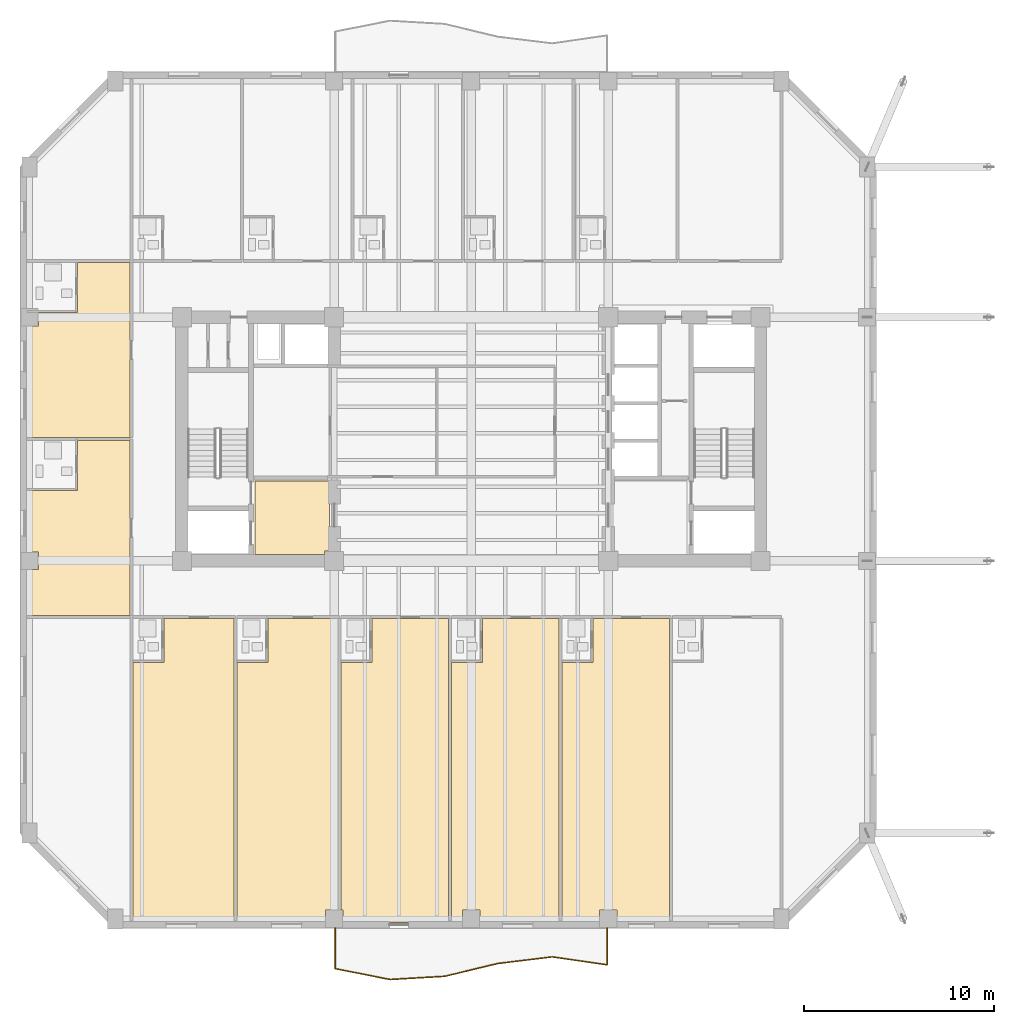
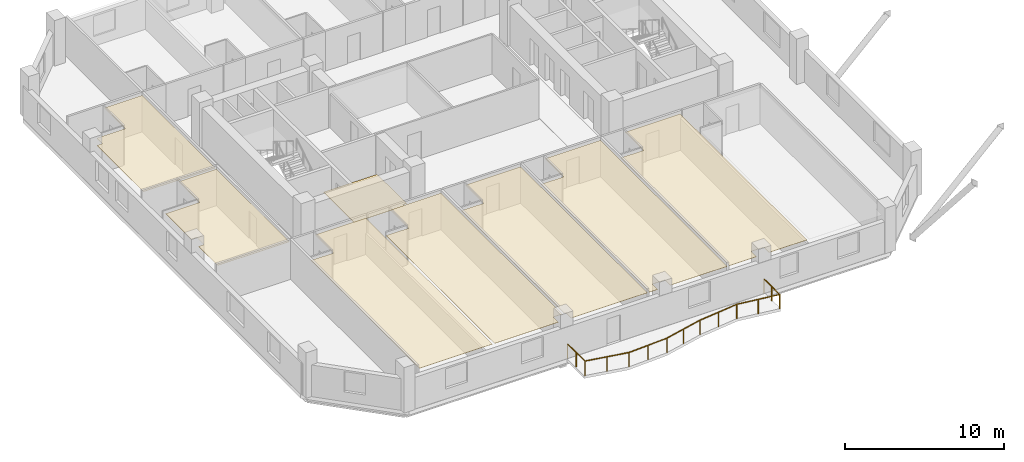
# One storey, part 10 of 14: 8 coverings, 1 railing.
"""IFC4 building model written with IfcOpenShell, lengths in metres."""

from ifc_helpers import new_model, si_unit, direction, frame, origin, origin_2d, place, context, subcontext, project, spatial, polyline, circle, outline, extrude, material, layer, layer_set, type_object, element, save


model = new_model("IFC4")

# Units and contexts
model_context = context("Model", 3, precision=1e-05, world=origin(), true_north=direction((0.0, 1.0)))
body_context = subcontext(model_context, "Body", "Model", "MODEL_VIEW")
ifc_project = project(units=[si_unit("LENGTHUNIT", "METRE"), si_unit("AREAUNIT", "SQUARE_METRE"), si_unit("VOLUMEUNIT", "CUBIC_METRE"), si_unit("PLANEANGLEUNIT", "RADIAN"), si_unit("MASSUNIT", "GRAM", prefix="KILO")], contexts=[model_context])

# Site, building, storey
site_placement = place(None, origin())
site = spatial("IfcSite", under=ifc_project, at=site_placement, CompositionType="ELEMENT")
building_placement = place(site_placement, origin())
building = spatial("IfcBuilding", under=site, at=building_placement, Name="Kranthara Brick Stack", CompositionType="ELEMENT")
storey_placement = place(building_placement, frame((0.0, 0.0, 137.800048828125)))
storey = spatial("IfcBuildingStorey", under=building, at=storey_placement, Name="L34", CompositionType="ELEMENT", Elevation=137.800048828125)

# Coverings
ifc_material_1 = material(Name="Perforated mineral-fibre acoustic ceiling tile", Category="other")
ifc_layer_1 = layer(ifc_material_1, 0.02490234375)
ifc_layer_set_1 = layer_set([ifc_layer_1], Name="Perforated mineral-fibre acoustic ceiling tile")
covering_type_1 = type_object("IfcCoveringType", Name="COV-CEIL-ACOUSTIC", PredefinedType="CEILING", material=ifc_layer_set_1)
covering_1_placement = place(storey_placement, frame((0.0, 0.0, 2.780029296875)))
element("IfcCovering", 1, at=covering_1_placement, inside=storey, type_object=covering_type_1, Name="L34 Room L34-01 Corner Junior Suite Acoustic Ceiling", PredefinedType="CEILING", context=body_context, shape_type="SweptSolid", body=[
    extrude(outline(polyline([(10.22998046875, 1.800048828125), (15.533935546875, 1.800048828125), (15.533935546875, 17.77001953125), (11.860107421875, 17.77001953125), (11.860107421875, 15.4599609375), (10.22998046875, 15.4599609375), (10.22998046875, 1.800048828125)])), origin(), (0.0, 0.0, 1.0), 0.02490234375),
])
covering_2_placement = place(storey_placement, frame((0.0, 0.0, 2.780029296875)))
element("IfcCovering", 2, at=covering_2_placement, inside=storey, type_object=covering_type_1, Name="L34 Room L34-02 Corner Junior Suite Acoustic Ceiling", PredefinedType="CEILING", context=body_context, shape_type="SweptSolid", body=[
    extrude(outline(polyline([(15.694091796875, 1.800048828125), (15.694091796875, 15.4599609375), (17.323974609375, 15.4599609375), (17.323974609375, 17.77001953125), (20.998046875, 17.77001953125), (20.998046875, 2.4599609375), (20.340087890625, 2.4599609375), (20.340087890625, 1.800048828125), (15.694091796875, 1.800048828125)])), origin(), (0.0, 0.0, 1.0), 0.02490234375),
])
covering_3_placement = place(storey_placement, frame((0.0, 0.0, 2.780029296875)))
element("IfcCovering", 3, at=covering_3_placement, inside=storey, type_object=covering_type_1, Name="L34 Room L34-03 Corner Junior Suite Acoustic Ceiling", PredefinedType="CEILING", context=body_context, shape_type="SweptSolid", body=[
    extrude(outline(polyline([(21.157958984375, 15.4599609375), (22.7880859375, 15.4599609375), (22.7880859375, 17.77001953125), (26.802978515625, 17.77001953125), (26.802978515625, 1.800048828125), (21.260009765625, 1.800048828125), (21.260009765625, 2.4599609375), (21.157958984375, 2.4599609375), (21.157958984375, 15.4599609375)])), origin(), (0.0, 0.0, 1.0), 0.02490234375),
])
covering_4_placement = place(storey_placement, frame((0.0, 0.0, 2.780029296875)))
element("IfcCovering", 4, at=covering_4_placement, inside=storey, type_object=covering_type_1, Name="L34 Room L34-04 Corner Junior Suite Acoustic Ceiling", PredefinedType="CEILING", context=body_context, shape_type="SweptSolid", body=[
    extrude(outline(polyline([(26.962890625, 1.800048828125), (26.962890625, 15.4599609375), (28.593017578125, 15.4599609375), (28.593017578125, 17.77001953125), (32.60888671875, 17.77001953125), (32.60888671875, 1.800048828125), (28.4599609375, 1.800048828125), (28.4599609375, 2.4599609375), (27.5400390625, 2.4599609375), (27.5400390625, 1.800048828125), (26.962890625, 1.800048828125)])), origin(), (0.0, 0.0, 1.0), 0.02490234375),
])
covering_5_placement = place(storey_placement, frame((0.0, 0.0, 2.780029296875)))
element("IfcCovering", 5, at=covering_5_placement, inside=storey, type_object=covering_type_1, Name="L34 Room L34-05 Corner Junior Suite Acoustic Ceiling", PredefinedType="CEILING", context=body_context, shape_type="SweptSolid", body=[
    extrude(outline(polyline([(32.76904296875, 1.800048828125), (32.76904296875, 15.4599609375), (34.39892578125, 15.4599609375), (34.39892578125, 17.77001953125), (38.4140625, 17.77001953125), (38.4140625, 1.800048828125), (35.659912109375, 1.800048828125), (35.659912109375, 2.4599609375), (34.739990234375, 2.4599609375), (34.739990234375, 1.800048828125), (32.76904296875, 1.800048828125)])), origin(), (0.0, 0.0, 1.0), 0.02490234375),
])
covering_6_placement = place(storey_placement, frame((0.0, 0.0, 2.780029296875)))
element("IfcCovering", 6, at=covering_6_placement, inside=storey, type_object=covering_type_1, Name="L34 Room L34-13 Hotel Guest Room Acoustic Ceiling", PredefinedType="CEILING", context=body_context, shape_type="SweptSolid", body=[
    extrude(outline(polyline([(4.8701171875, 24.489990234375), (7.330078125, 24.489990234375), (7.330078125, 27.1201171875), (10.080078125, 27.1201171875), (10.080078125, 17.929931640625), (4.8701171875, 17.929931640625), (4.8701171875, 20.340087890625), (5.260009765625, 20.340087890625), (5.260009765625, 21.260009765625), (4.8701171875, 21.260009765625), (4.8701171875, 24.489990234375)])), origin(), (0.0, 0.0, 1.0), 0.02490234375),
])
covering_7_placement = place(storey_placement, frame((0.0, 0.0, 2.780029296875)))
element("IfcCovering", 7, at=covering_7_placement, inside=storey, type_object=covering_type_1, Name="L34 Room L34-14 Hotel Guest Room Acoustic Ceiling", PredefinedType="CEILING", context=body_context, shape_type="SweptSolid", body=[
    extrude(outline(polyline([(7.330078125, 33.840087890625), (7.330078125, 36.469970703125), (10.080078125, 36.469970703125), (10.080078125, 27.280029296875), (4.8701171875, 27.280029296875), (4.8701171875, 33.139892578125), (5.260009765625, 33.139892578125), (5.260009765625, 33.840087890625), (7.330078125, 33.840087890625)])), origin(), (0.0, 0.0, 1.0), 0.02490234375),
])
ifc_material_2 = material(Name="Honed terrazzo and porcelain floor finish", Category="stone")
ifc_layer_2 = layer(ifc_material_2, 0.030029296875)
ifc_layer_set_2 = layer_set([ifc_layer_2], Name="Honed terrazzo and porcelain floor finish")
covering_type_2 = type_object("IfcCoveringType", Name="COV-FLOR-STONE", PredefinedType="FLOORING", material=ifc_layer_set_2)
covering_8_placement = place(storey_placement, origin())
element("IfcCovering", 8, at=covering_8_placement, inside=storey, type_object=covering_type_2, Name="L34 Lift Lobby Stone Flooring", PredefinedType="FLOORING", context=body_context, shape_type="SweptSolid", body=[
    extrude(outline(polyline([(16.64990234375, 21.14990234375), (16.64990234375, 25.0), (20.550048828125, 25.0), (20.550048828125, 21.31005859375), (20.2900390625, 21.31005859375), (20.2900390625, 21.14990234375), (16.64990234375, 21.14990234375)])), origin(), (0.0, 0.0, 1.0), 0.030029296875),
])

# Railing
ifc_material_3 = material(Name="Bronze anodised aluminium and laminated glass balustrade", Category="aluminium")
railing_type = type_object("IfcRailingType", Name="RL-BALC-1120", PredefinedType="BALUSTRADE", material=ifc_material_3)
railing_placement = place(storey_placement, frame((35.139892578125, 1.56005859375, 0.0)))
element("IfcRailing", 9, at=railing_placement, inside=storey, type_object=railing_type, Name="L34 South Rippling Balcony Balustrade", PredefinedType="BALUSTRADE", context=body_context, shape_type="SweptSolid", body=[
    extrude(circle(Radius=0.02392578125, at=origin_2d()), frame((0.0, 0.0, 1.09619140625), z_axis=(0.00012335019, -0.999999992392, 0.0), x_axis=(0.999999992392, 0.00012335019, 0.0)), (0.0, 0.0, 1.0), 1.979248046875),
    extrude(circle(Radius=0.02392578125, at=origin_2d()), frame((0.000244140625, -1.979248046875, 1.09619140625), z_axis=(-0.989669053746, 0.143370722459, 0.0), x_axis=(-0.143370722459, -0.989669053746, 0.0)), (0.0, 0.0, 1.0), 2.91015625),
    extrude(circle(Radius=0.02392578125, at=origin_2d()), frame((-2.8798828125, -1.56201171875, 1.09619140625), z_axis=(-0.992646370975, -0.121050329161, 0.0), x_axis=(0.121050329161, -0.992646370975, 0.0)), (0.0, 0.0, 1.0), 2.900146484375),
    extrude(circle(Radius=0.02392578125, at=origin_2d()), frame((-5.7587890625, -1.9130859375, 1.09619140625), z_axis=(-0.972065368822, -0.234710286816, 0.0), x_axis=(0.234710286816, -0.972065368822, 0.0)), (0.0, 0.0, 1.0), 2.85107421875),
    extrude(circle(Radius=0.02392578125, at=origin_2d()), frame((-8.5302734375, -2.582275390625, 1.09619140625), z_axis=(-0.998293635427, -0.058393642338, 0.0), x_axis=(0.058393642338, -0.998293635427, 0.0)), (0.0, 0.0, 1.0), 2.87646484375),
    extrude(circle(Radius=0.02392578125, at=origin_2d()), frame((-11.40185546875, -2.750244140625, 1.09619140625), z_axis=(-0.980975520932, 0.194131469195, 0.0), x_axis=(-0.194131469195, -0.980975520932, 0.0)), (0.0, 0.0, 1.0), 2.93408203125),
    extrude(circle(Radius=0.02392578125, at=origin_2d()), frame((-14.280029296875, -2.1806640625, 1.09619140625), z_axis=(0.000111957008, 0.999999993733, 0.0), x_axis=(-0.999999993733, 0.000111957008, 0.0)), (0.0, 0.0, 1.0), 2.1806640625),
    extrude(circle(Radius=0.02099609375, at=origin_2d()), origin(), (0.0, 0.0, 1.0), 1.072021484375),
    extrude(circle(Radius=0.02099609375, at=origin_2d()), frame((0.0, -0.98974609375, 0.0)), (0.0, 0.0, 1.0), 1.072021484375),
    extrude(circle(Radius=0.02099609375, at=origin_2d()), frame((0.000244140625, -1.979248046875, 0.0)), (0.0, 0.0, 1.0), 1.072021484375),
    extrude(circle(Radius=0.02099609375, at=origin_2d()), frame((-1.43994140625, -1.7705078125, 0.0)), (0.0, 0.0, 1.0), 1.072021484375),
    extrude(circle(Radius=0.02099609375, at=origin_2d()), frame((-2.8798828125, -1.56201171875, 0.0)), (0.0, 0.0, 1.0), 1.072021484375),
    extrude(circle(Radius=0.02099609375, at=origin_2d()), frame((-4.3193359375, -1.737548828125, 0.0)), (0.0, 0.0, 1.0), 1.072021484375),
    extrude(circle(Radius=0.02099609375, at=origin_2d()), frame((-5.7587890625, -1.9130859375, 0.0)), (0.0, 0.0, 1.0), 1.072021484375),
    extrude(circle(Radius=0.02099609375, at=origin_2d()), frame((-7.14453125, -2.24755859375, 0.0)), (0.0, 0.0, 1.0), 1.072021484375),
    extrude(circle(Radius=0.02099609375, at=origin_2d()), frame((-8.5302734375, -2.582275390625, 0.0)), (0.0, 0.0, 1.0), 1.072021484375),
    extrude(circle(Radius=0.02099609375, at=origin_2d()), frame((-9.966064453125, -2.666259765625, 0.0)), (0.0, 0.0, 1.0), 1.072021484375),
    extrude(circle(Radius=0.02099609375, at=origin_2d()), frame((-11.40185546875, -2.750244140625, 0.0)), (0.0, 0.0, 1.0), 1.072021484375),
    extrude(circle(Radius=0.02099609375, at=origin_2d()), frame((-12.8408203125, -2.46533203125, 0.0)), (0.0, 0.0, 1.0), 1.072021484375),
    extrude(circle(Radius=0.02099609375, at=origin_2d()), frame((-14.280029296875, -2.1806640625, 0.0)), (0.0, 0.0, 1.0), 1.072021484375),
    extrude(circle(Radius=0.02099609375, at=origin_2d()), frame((-14.27978515625, -1.09033203125, 0.0)), (0.0, 0.0, 1.0), 1.072021484375),
    extrude(circle(Radius=0.02099609375, at=origin_2d()), frame((-14.27978515625, 0.0, 0.0)), (0.0, 0.0, 1.0), 1.072021484375),
])

save(model, "model.ifc")
